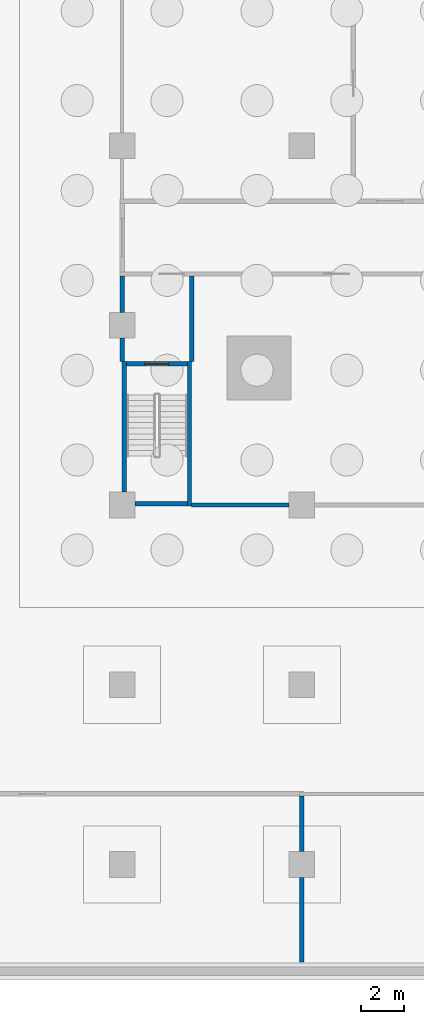
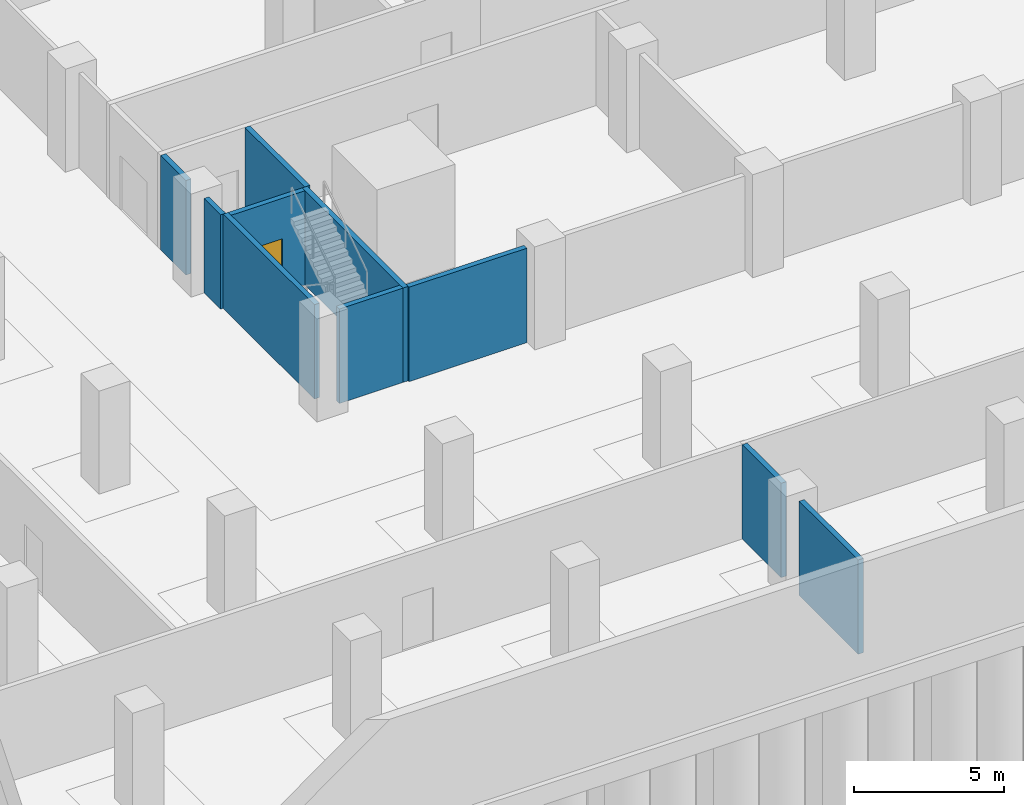
# One storey, part 4 of 19: 10 walls, 1 door, 1 opening.
"""IFC4 building model written with IfcOpenShell, lengths in metres."""

from ifc_helpers import new_model, si_unit, direction, frame, frame_2d, origin, place, context, subcontext, project, spatial, rectangle, extrude, material, layer, layer_set, type_object, element, fill, save


model = new_model("IFC4")

# Units and contexts
model_context = context("Model", 3, precision=1e-05, world=origin(), true_north=direction((0.0, 1.0)))
body_context = subcontext(model_context, "Body", "Model", "MODEL_VIEW")
ifc_project = project(units=[si_unit("LENGTHUNIT", "METRE"), si_unit("AREAUNIT", "SQUARE_METRE"), si_unit("VOLUMEUNIT", "CUBIC_METRE"), si_unit("PLANEANGLEUNIT", "RADIAN"), si_unit("MASSUNIT", "GRAM", prefix="KILO")], contexts=[model_context])

# Site, building, storey
site_placement = place(None, origin())
site = spatial("IfcSite", under=ifc_project, at=site_placement, CompositionType="ELEMENT")
building_placement = place(site_placement, origin())
building = spatial("IfcBuilding", under=site, at=building_placement, Name="Khepri Terraces", CompositionType="ELEMENT")
storey_placement = place(building_placement, frame((0.0, 0.0, -8.39990234375)))
storey = spatial("IfcBuildingStorey", under=building, at=storey_placement, Name="B2", CompositionType="ELEMENT", Elevation=-8.39990234375)

# Walls
ifc_material_1 = material(Name="Fire-rated block wall")
ifc_layer_1 = layer(ifc_material_1, 0.199951171875, Name="Fire-rated block wall")
ifc_layer_set_1 = layer_set([ifc_layer_1], Name="Fire-rated block wall")
wall_type_1 = type_object("IfcWallType", Name="WL-POD-200-EI120", PredefinedType="PARTITIONING", material=ifc_layer_set_1)
wall_1_placement = place(storey_placement, frame((-21.949951171875, -25.199951171875, 0.0), z_axis=(0.0, 0.0, 1.0), x_axis=(1.0, 0.0, 0.0)))
element("IfcWall", 1, at=wall_1_placement, inside=storey, type_object=wall_type_1, Name="Partition B2-PW006", PredefinedType="PARTITIONING", context=body_context, shape_type="SweptSolid", body=[
    extrude(rectangle(XDim=4.550048828125, YDim=0.199951171875, at=frame_2d((2.27490234375, 0.0))), origin(), (0.0, 0.0, 1.0), 3.849853515625),
])
wall_2_placement = place(storey_placement, frame((-25.199951171875, -18.5, 0.0), z_axis=(0.0, 0.0, 1.0), x_axis=(0.0, 1.0, 0.0)))
element("IfcWall", 2, at=wall_2_placement, inside=storey, type_object=wall_type_1, Name="Partition B2-PW059", PredefinedType="PARTITIONING", context=body_context, shape_type="SweptSolid", body=[
    extrude(rectangle(XDim=1.10009765625, YDim=0.199951171875, at=frame_2d((0.550048828125, 0.0))), origin(), (0.0, 0.0, 1.0), 3.849853515625),
])
wall_3_placement = place(storey_placement, frame((-25.199951171875, -16.199951171875, 0.0), z_axis=(0.0, 0.0, 1.0), x_axis=(0.0, 1.0, 0.0)))
element("IfcWall", 3, at=wall_3_placement, inside=storey, type_object=wall_type_1, Name="Partition B2-PW060", PredefinedType="PARTITIONING", context=body_context, shape_type="SweptSolid", body=[
    extrude(rectangle(XDim=1.699951171875, YDim=0.199951171875, at=frame_2d((0.85009765625, 0.0))), origin(), (0.0, 0.0, 1.0), 3.849853515625),
])
wall_4_placement = place(storey_placement, frame((-21.949951171875, -18.5, 0.0), z_axis=(0.0, 0.0, 1.0), x_axis=(0.0, 1.0, 0.0)))
element("IfcWall", 4, at=wall_4_placement, inside=storey, type_object=wall_type_1, Name="Partition B2-PW069", PredefinedType="PARTITIONING", context=body_context, shape_type="SweptSolid", body=[
    extrude(rectangle(XDim=4.0, YDim=0.199951171875, at=frame_2d((2.0, 0.0))), origin(), (0.0, 0.0, 1.0), 3.849853515625),
])
wall_5_placement = place(storey_placement, frame((-16.800048828125, -46.550048828125, 0.0), z_axis=(0.0, 0.0, 1.0), x_axis=(0.0, 1.0, 0.0)))
element("IfcWall", 5, at=wall_5_placement, inside=storey, type_object=wall_type_1, Name="Partition B2-PW071", PredefinedType="PARTITIONING", context=body_context, shape_type="SweptSolid", body=[
    extrude(rectangle(XDim=3.949951171875, YDim=0.199951171875, at=frame_2d((1.97509765625, 0.0))), origin(), (0.0, 0.0, 1.0), 3.849853515625),
])
wall_6_placement = place(storey_placement, frame((-16.800048828125, -41.39990234375, 0.0), z_axis=(0.0, 0.0, 1.0), x_axis=(0.0, 1.0, 0.0)))
element("IfcWall", 6, at=wall_6_placement, inside=storey, type_object=wall_type_1, Name="Partition B2-PW072", PredefinedType="PARTITIONING", context=body_context, shape_type="SweptSolid", body=[
    extrude(rectangle(XDim=2.599853515625, YDim=0.199951171875, at=frame_2d((1.2998046875, 0.0))), origin(), (0.0, 0.0, 1.0), 3.849853515625),
])
ifc_material_2 = material(Name="Concrete C40/50", Category="concrete")
ifc_layer_2 = layer(ifc_material_2, 0.199951171875, Name="Concrete C40/50", Category="concrete")
ifc_layer_set_2 = layer_set([ifc_layer_2], Name="Concrete C40/50")
wall_type_2 = type_object("IfcWallType", Name="WL-POD-STAIR-200", PredefinedType="SOLIDWALL", material=ifc_layer_set_2)
wall_7_placement = place(storey_placement, frame((-25.10009765625, -24.60009765625, 0.0), z_axis=(0.0, 0.0, 1.0), x_axis=(0.0, 1.0, 0.0)))
element("IfcWall", 7, at=wall_7_placement, inside=storey, type_object=wall_type_2, Name="Stair enclosure PS-4 B2-W", PredefinedType="SOLIDWALL", context=body_context, shape_type="SweptSolid", body=[
    extrude(rectangle(XDim=6.10009765625, YDim=0.199951171875, at=frame_2d((3.050048828125, 0.0))), origin(), (0.0, 0.0, 1.0), 3.849853515625),
])
wall_8_placement = place(storey_placement, frame((-22.050048828125, -25.239990234375, 0.0), z_axis=(0.0, 0.0, 1.0), x_axis=(0.0, 1.0, 0.0)))
element("IfcWall", 8, at=wall_8_placement, inside=storey, type_object=wall_type_2, Name="Stair enclosure PS-4 B2-E", PredefinedType="SOLIDWALL", context=body_context, shape_type="SweptSolid", body=[
    extrude(rectangle(XDim=6.739990234375, YDim=0.199951171875, at=frame_2d((3.3701171875, 0.0))), origin(), (0.0, 0.0, 1.0), 3.849853515625),
])
wall_9_placement = place(storey_placement, frame((-24.60009765625, -25.139892578125, 0.0), z_axis=(0.0, 0.0, 1.0), x_axis=(1.0, 0.0, 0.0)))
element("IfcWall", 9, at=wall_9_placement, inside=storey, type_object=wall_type_2, Name="Stair enclosure PS-4 B2-S", PredefinedType="SOLIDWALL", context=body_context, shape_type="SweptSolid", body=[
    extrude(rectangle(XDim=2.4501953125, YDim=0.199951171875, at=frame_2d((1.22509765625, 0.0))), origin(), (0.0, 0.0, 1.0), 3.849853515625),
])

# Wall, opening, door
wall_10_placement = place(storey_placement, frame((-25.0, -18.60009765625, 0.0), z_axis=(0.0, 0.0, 1.0), x_axis=(1.0, 0.0, 0.0)))
wall_10 = element("IfcWall", 10, at=wall_10_placement, inside=storey, type_object=wall_type_2, Name="Stair enclosure PS-4 B2-N", PredefinedType="SOLIDWALL", context=body_context, shape_type="SweptSolid", body=[
    extrude(rectangle(XDim=2.85009765625, YDim=0.199951171875, at=frame_2d((1.425048828125, 0.0))), origin(), (0.0, 0.0, 1.0), 3.849853515625),
])
opening_placement = place(wall_10_placement, frame((0.875, 0.0, 0.0)))
opening = element("IfcOpeningElement", 11, at=opening_placement, cuts=wall_10, Name="Opening B2-PS-4D", PredefinedType="OPENING", context=body_context, shape_type="SweptSolid", body=[
    extrude(rectangle(XDim=1.10009765625, YDim=2.199951171875, at=frame_2d((0.550048828125, 1.10009765625))), frame((0.0, 0.10986328125, 0.0), z_axis=(0.0, -1.0, 0.0), x_axis=(1.0, 0.0, 0.0)), (0.0, 0.0, 1.0), 0.219970703125),
])
ifc_material_3 = material(Name="Painted steel", Category="steel")
door_type = type_object("IfcDoorType", Name="DR-POD-STAIR-1100", OperationType="NOTDEFINED", PredefinedType="DOOR", material=ifc_material_3)
door_placement = place(opening_placement, origin())
door = element("IfcDoor", 12, at=door_placement, inside=storey, type_object=door_type, Name="Stair door B2-PS-4D", OperationType="SINGLE_SWING_RIGHT", OverallHeight=2.199951171875, OverallWidth=1.10009765625, PredefinedType="DOOR", context=body_context, shape_type="SweptSolid", body=[
    extrude(rectangle(XDim=1.10009765625, YDim=2.199951171875, at=frame_2d((0.550048828125, 1.10009765625))), frame((0.0, 0.02490234375, 0.0), z_axis=(0.0, -1.0, 0.0), x_axis=(1.0, 0.0, 0.0)), (0.0, 0.0, 1.0), 0.050048828125),
])
fill(opening, door)

save(model, "model.ifc")
